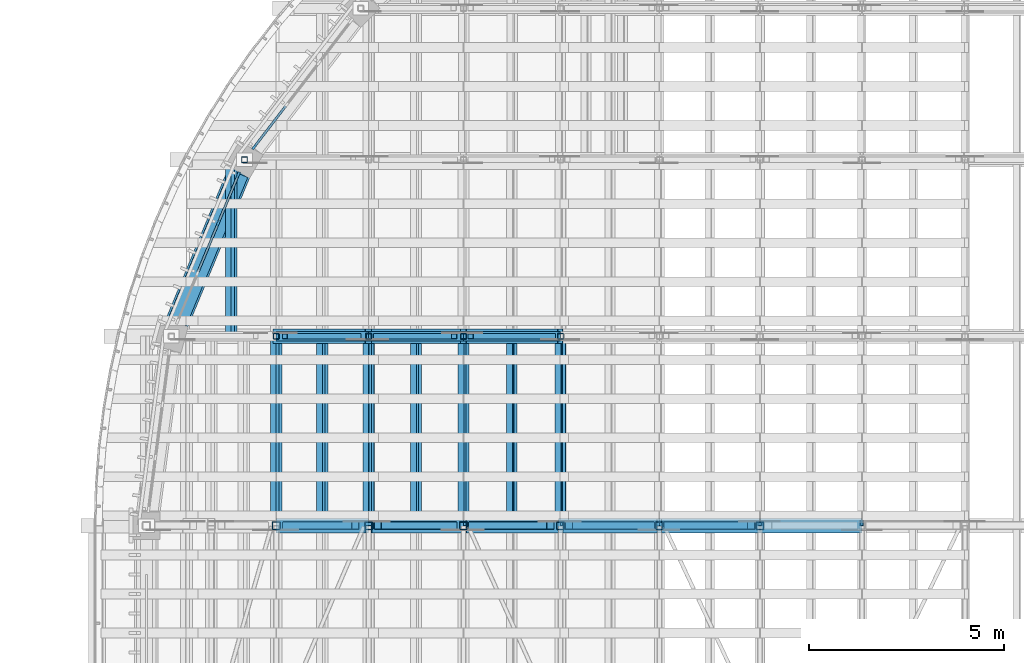
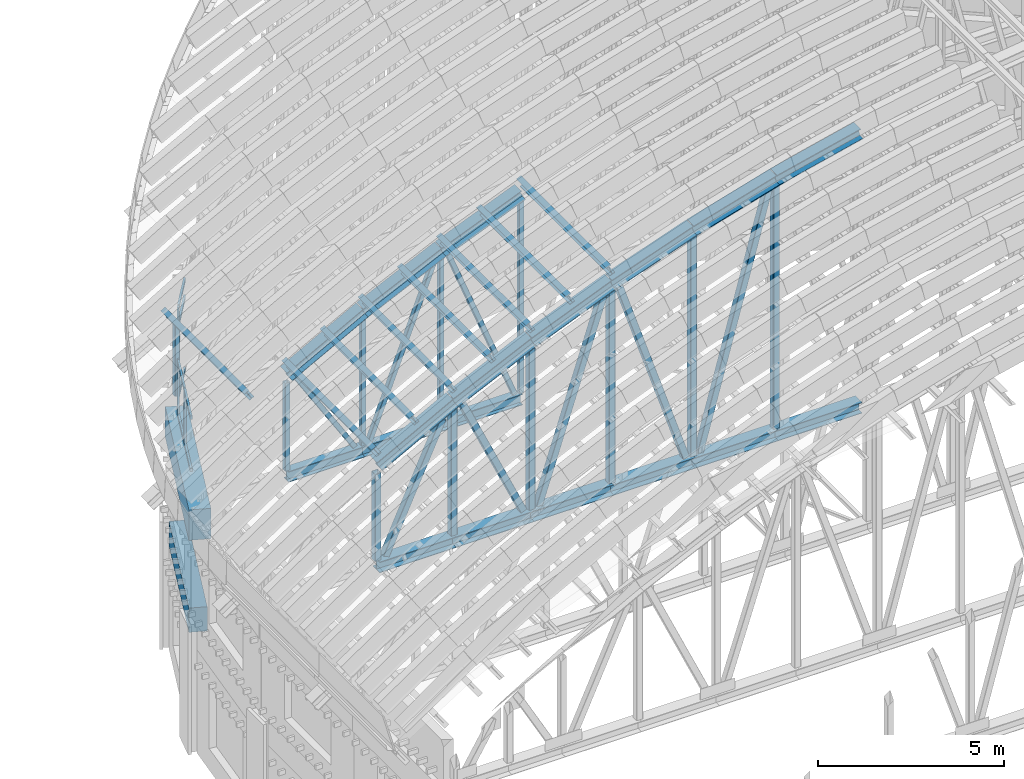
# One storey, part 20 of 105: 55 members, 2 beams, 2 elements without a shape of their own.
"""IFC4 building model written with IfcOpenShell, lengths in metres."""

from ifc_helpers import new_model, si_unit, direction, frame, origin, origin_2d, place, context, subcontext, project, spatial, rectangle, hollow_rectangle, i_section, extrude, material, layer, layer_set, material_profile, profile_set, type_object, element, aggregate, save


model = new_model("IFC4")

# Units and contexts
model_context = context("Model", 3, precision=1e-05, world=origin(), true_north=direction((0.0, 1.0)))
body_context = subcontext(model_context, "Body", "Model", "MODEL_VIEW")
ifc_project = project(units=[si_unit("LENGTHUNIT", "METRE"), si_unit("AREAUNIT", "SQUARE_METRE"), si_unit("VOLUMEUNIT", "CUBIC_METRE"), si_unit("PLANEANGLEUNIT", "RADIAN"), si_unit("MASSUNIT", "GRAM", prefix="KILO")], contexts=[model_context])

# Site, building, storey
site_placement = place(None, origin())
site = spatial("IfcSite", under=ifc_project, at=site_placement, CompositionType="ELEMENT")
building_placement = place(site_placement, origin())
building = spatial("IfcBuilding", under=site, at=building_placement, Name="Wasatch Bagh Community Centre", CompositionType="ELEMENT")
storey_placement = place(building_placement, frame((0.0, 0.0, 16.800048828125)))
storey = spatial("IfcBuildingStorey", under=building, at=storey_placement, Name="L04", CompositionType="ELEMENT", Elevation=16.800048828125)

# Members
ifc_material_1 = material(Name="ASTM A500 Grade C steel", Category="steel")
ifc_material_profile_1 = material_profile(ifc_material_1, hollow_rectangle(XDim=0.15234375, YDim=0.15234375, WallThickness=0.0087890625, InnerFilletRadius=0.0087890625, OuterFilletRadius=0.017822265625, at=origin_2d()), Name="HSS6x6x3/8")
ifc_profile_set_1 = profile_set([ifc_material_profile_1], Name="ASTM A500 Grade C steel")
member_type_1 = type_object("IfcMemberType", Name="HSS6x6x3/8 brace", PredefinedType="BRACE", material=ifc_profile_set_1)
member_1_placement = place(storey_placement, frame((22.68310546875, 69.852783203125, 8.111572265625), z_axis=(-0.530690014661, 0.0, 0.847565990551), x_axis=(0.0, -1.0, 0.0)))
element("IfcMember", 1, at=member_1_placement, inside=storey, type_object=member_type_1, Name="MH.TN1.WB02", PredefinedType="BRACE", context=body_context, shape_type="SweptSolid", body=[
    extrude(hollow_rectangle(XDim=0.15234375, YDim=0.15234375, WallThickness=0.0087890625, InnerFilletRadius=0.0087890625, OuterFilletRadius=0.017822265625, at=origin_2d()), origin(), (0.0, 0.0, 1.0), 3.5556640625),
])
member_2_placement = place(storey_placement, frame((23.140869140625, 69.852783203125, 8.098388671875), z_axis=(0.360226506128, 0.0, 0.932864869251), x_axis=(0.0, 1.0, 0.0)))
element("IfcMember", 2, at=member_2_placement, inside=storey, type_object=member_type_1, Name="MH.TN1.WB03", PredefinedType="BRACE", context=body_context, shape_type="SweptSolid", body=[
    extrude(hollow_rectangle(XDim=0.15234375, YDim=0.15234375, WallThickness=0.0087890625, InnerFilletRadius=0.0087890625, OuterFilletRadius=0.017822265625, at=origin_2d()), origin(), (0.0, 0.0, 1.0), 5.533203125),
])
member_3_placement = place(storey_placement, frame((27.66162109375, 69.852783203125, 8.0986328125), z_axis=(-0.362328609595, 0.0, 0.932050416377), x_axis=(0.0, -1.0, 0.0)))
element("IfcMember", 3, at=member_3_placement, inside=storey, type_object=member_type_1, Name="MH.TN1.WB04", PredefinedType="BRACE", context=body_context, shape_type="SweptSolid", body=[
    extrude(hollow_rectangle(XDim=0.15234375, YDim=0.15234375, WallThickness=0.0087890625, InnerFilletRadius=0.0087890625, OuterFilletRadius=0.017822265625, at=origin_2d()), origin(), (0.0, 0.0, 1.0), 5.808349609375),
])
ifc_material_profile_2 = material_profile(ifc_material_1, hollow_rectangle(XDim=0.15234375, YDim=0.15234375, WallThickness=0.0087890625, InnerFilletRadius=0.0087890625, OuterFilletRadius=0.017822265625, at=origin_2d()), Name="HSS6x6x3/8")
ifc_profile_set_2 = profile_set([ifc_material_profile_2], Name="ASTM A500 Grade C steel")
member_type_2 = type_object("IfcMemberType", Name="HSS6x6x3/8 post", PredefinedType="POST", material=ifc_profile_set_2)
member_4_placement = place(storey_placement, frame((20.5751953125, 69.852783203125, 8.070556640625), z_axis=(0.0, 0.0, 1.0), x_axis=(1.0, 0.0, 0.0)))
element("IfcMember", 4, at=member_4_placement, inside=storey, type_object=member_type_2, Name="MH.TN1.PS02", PredefinedType="POST", context=body_context, shape_type="SweptSolid", body=[
    extrude(hollow_rectangle(XDim=0.15234375, YDim=0.15234375, WallThickness=0.0087890625, InnerFilletRadius=0.0087890625, OuterFilletRadius=0.017822265625, at=origin_2d()), origin(), (0.0, 0.0, 1.0), 2.889892578125),
])
member_5_placement = place(storey_placement, frame((22.943359375, 69.852783203125, 8.070556640625), z_axis=(0.0, 0.0, 1.0), x_axis=(1.0, 0.0, 0.0)))
element("IfcMember", 5, at=member_5_placement, inside=storey, type_object=member_type_2, Name="MH.TN1.PS03", PredefinedType="POST", context=body_context, shape_type="SweptSolid", body=[
    extrude(hollow_rectangle(XDim=0.15234375, YDim=0.15234375, WallThickness=0.0087890625, InnerFilletRadius=0.0087890625, OuterFilletRadius=0.017822265625, at=origin_2d()), origin(), (0.0, 0.0, 1.0), 4.171875),
])
member_6_placement = place(storey_placement, frame((25.373779296875, 69.852783203125, 8.070556640625), z_axis=(0.0, 0.0, 1.0), x_axis=(1.0, 0.0, 0.0)))
element("IfcMember", 6, at=member_6_placement, inside=storey, type_object=member_type_2, Name="MH.TN1.PS04", PredefinedType="POST", context=body_context, shape_type="SweptSolid", body=[
    extrude(hollow_rectangle(XDim=0.15234375, YDim=0.15234375, WallThickness=0.0087890625, InnerFilletRadius=0.0087890625, OuterFilletRadius=0.017822265625, at=origin_2d()), origin(), (0.0, 0.0, 1.0), 5.32763671875),
])
member_7_placement = place(storey_placement, frame((27.85986328125, 69.852783203125, 8.070556640625), z_axis=(0.0, 0.0, 1.0), x_axis=(1.0, 0.0, 0.0)))
element("IfcMember", 7, at=member_7_placement, inside=storey, type_object=member_type_2, Name="MH.TN1.PS05", PredefinedType="POST", context=body_context, shape_type="SweptSolid", body=[
    extrude(hollow_rectangle(XDim=0.15234375, YDim=0.15234375, WallThickness=0.0087890625, InnerFilletRadius=0.0087890625, OuterFilletRadius=0.017822265625, at=origin_2d()), origin(), (0.0, 0.0, 1.0), 6.35498046875),
])
member_8_placement = place(storey_placement, frame((19.761962890625, 74.375, 8.070556640625), z_axis=(0.0, 0.0, 1.0), x_axis=(1.0, 0.0, 0.0)))
element("IfcMember", 8, at=member_8_placement, inside=storey, type_object=member_type_2, Name="MH.TN2.PS01", PredefinedType="POST", context=body_context, shape_type="SweptSolid", body=[
    extrude(hollow_rectangle(XDim=0.15234375, YDim=0.15234375, WallThickness=0.0087890625, InnerFilletRadius=0.0087890625, OuterFilletRadius=0.017822265625, at=origin_2d()), origin(), (0.0, 0.0, 1.0), 2.396728515625),
])
ifc_material_profile_3 = material_profile(ifc_material_1, hollow_rectangle(XDim=0.203125, YDim=0.203125, WallThickness=0.01171875, InnerFilletRadius=0.01171875, OuterFilletRadius=0.023681640625, at=origin_2d()), Name="HSS8x8x1/2")
ifc_profile_set_3 = profile_set([ifc_material_profile_3], Name="ASTM A500 Grade C steel")
member_type_3 = type_object("IfcMemberType", Name="HSS8x8x1/2 post", PredefinedType="POST", material=ifc_profile_set_3)
member_9_placement = place(storey_placement, frame((20.5751953125, 65.0, 8.070556640625), z_axis=(0.0, 0.0, 1.0), x_axis=(1.0, 0.0, 0.0)))
element("IfcMember", 9, at=member_9_placement, inside=storey, type_object=member_type_3, Name="MH.TA7.PS03", PredefinedType="POST", context=body_context, shape_type="SweptSolid", body=[
    extrude(hollow_rectangle(XDim=0.203125, YDim=0.203125, WallThickness=0.01171875, InnerFilletRadius=0.01171875, OuterFilletRadius=0.023681640625, at=origin_2d()), origin(), (0.0, 0.0, 1.0), 2.860107421875),
])
member_10_placement = place(storey_placement, frame((22.943359375, 65.0, 8.070556640625), z_axis=(0.0, 0.0, 1.0), x_axis=(1.0, 0.0, 0.0)))
element("IfcMember", 10, at=member_10_placement, inside=storey, type_object=member_type_3, Name="MH.TA7.PS04", PredefinedType="POST", context=body_context, shape_type="SweptSolid", body=[
    extrude(hollow_rectangle(XDim=0.203125, YDim=0.203125, WallThickness=0.01171875, InnerFilletRadius=0.01171875, OuterFilletRadius=0.023681640625, at=origin_2d()), origin(), (0.0, 0.0, 1.0), 4.143798828125),
])
member_11_placement = place(storey_placement, frame((25.373779296875, 65.0, 8.070556640625), z_axis=(0.0, 0.0, 1.0), x_axis=(1.0, 0.0, 0.0)))
element("IfcMember", 11, at=member_11_placement, inside=storey, type_object=member_type_3, Name="MH.TA7.PS05", PredefinedType="POST", context=body_context, shape_type="SweptSolid", body=[
    extrude(hollow_rectangle(XDim=0.203125, YDim=0.203125, WallThickness=0.01171875, InnerFilletRadius=0.01171875, OuterFilletRadius=0.023681640625, at=origin_2d()), origin(), (0.0, 0.0, 1.0), 5.3017578125),
])
member_12_placement = place(storey_placement, frame((27.85986328125, 65.0, 8.070556640625), z_axis=(0.0, 0.0, 1.0), x_axis=(1.0, 0.0, 0.0)))
element("IfcMember", 12, at=member_12_placement, inside=storey, type_object=member_type_3, Name="MH.TA7.PS06", PredefinedType="POST", context=body_context, shape_type="SweptSolid", body=[
    extrude(hollow_rectangle(XDim=0.203125, YDim=0.203125, WallThickness=0.01171875, InnerFilletRadius=0.01171875, OuterFilletRadius=0.023681640625, at=origin_2d()), origin(), (0.0, 0.0, 1.0), 6.3310546875),
])
member_13_placement = place(storey_placement, frame((30.39501953125, 65.0, 8.070556640625), z_axis=(0.0, 0.0, 1.0), x_axis=(1.0, 0.0, 0.0)))
element("IfcMember", 13, at=member_13_placement, inside=storey, type_object=member_type_3, Name="MH.TA7.PS07", PredefinedType="POST", context=body_context, shape_type="SweptSolid", body=[
    extrude(hollow_rectangle(XDim=0.203125, YDim=0.203125, WallThickness=0.01171875, InnerFilletRadius=0.01171875, OuterFilletRadius=0.023681640625, at=origin_2d()), origin(), (0.0, 0.0, 1.0), 7.228759765625),
])
member_14_placement = place(storey_placement, frame((32.972412109375, 65.0, 8.070556640625), z_axis=(0.0, 0.0, 1.0), x_axis=(1.0, 0.0, 0.0)))
element("IfcMember", 14, at=member_14_placement, inside=storey, type_object=member_type_3, Name="MH.TA7.PS08", PredefinedType="POST", context=body_context, shape_type="SweptSolid", body=[
    extrude(hollow_rectangle(XDim=0.203125, YDim=0.203125, WallThickness=0.01171875, InnerFilletRadius=0.01171875, OuterFilletRadius=0.023681640625, at=origin_2d()), origin(), (0.0, 0.0, 1.0), 7.9931640625),
])
ifc_material_profile_4 = material_profile(ifc_material_1, hollow_rectangle(XDim=0.203125, YDim=0.203125, WallThickness=0.0087890625, InnerFilletRadius=0.0087890625, OuterFilletRadius=0.017822265625, at=origin_2d()), Name="HSS8x8x3/8")
ifc_profile_set_4 = profile_set([ifc_material_profile_4], Name="ASTM A500 Grade C steel")
member_type_4 = type_object("IfcMemberType", Name="HSS8x8x3/8 brace", PredefinedType="BRACE", material=ifc_profile_set_4)
member_15_placement = place(storey_placement, frame((20.834716796875, 65.0, 8.11328125), z_axis=(0.41454038017, 0.0, 0.91003091882), x_axis=(0.0, 1.0, 0.0)))
element("IfcMember", 15, at=member_15_placement, inside=storey, type_object=member_type_4, Name="MH.TA7.WB03", PredefinedType="BRACE", context=body_context, shape_type="SweptSolid", body=[
    extrude(hollow_rectangle(XDim=0.203125, YDim=0.203125, WallThickness=0.0087890625, InnerFilletRadius=0.0087890625, OuterFilletRadius=0.017822265625, at=origin_2d()), origin(), (0.0, 0.0, 1.0), 4.2646484375),
])
member_16_placement = place(storey_placement, frame((25.114501953125, 65.0, 8.113037109375), z_axis=(-0.412645327125, 0.0, 0.910891779523), x_axis=(0.0, -1.0, 0.0)))
element("IfcMember", 16, at=member_16_placement, inside=storey, type_object=member_type_4, Name="MH.TA7.WB04", PredefinedType="BRACE", context=body_context, shape_type="SweptSolid", body=[
    extrude(hollow_rectangle(XDim=0.203125, YDim=0.203125, WallThickness=0.0087890625, InnerFilletRadius=0.0087890625, OuterFilletRadius=0.017822265625, at=origin_2d()), origin(), (0.0, 0.0, 1.0), 4.688720703125),
])
member_17_placement = place(storey_placement, frame((25.59814453125, 65.0, 8.1025390625), z_axis=(0.309201900554, 0.0, 0.950996416762), x_axis=(0.0, 1.0, 0.0)))
element("IfcMember", 17, at=member_17_placement, inside=storey, type_object=member_type_4, Name="MH.TA7.WB05", PredefinedType="BRACE", context=body_context, shape_type="SweptSolid", body=[
    extrude(hollow_rectangle(XDim=0.203125, YDim=0.203125, WallThickness=0.0087890625, InnerFilletRadius=0.0087890625, OuterFilletRadius=0.017822265625, at=origin_2d()), origin(), (0.0, 0.0, 1.0), 6.481689453125),
])
member_18_placement = place(storey_placement, frame((30.170166015625, 65.0, 8.1025390625), z_axis=(-0.31047180951, 0.0, 0.950582587417), x_axis=(0.0, -1.0, 0.0)))
element("IfcMember", 18, at=member_18_placement, inside=storey, type_object=member_type_4, Name="MH.TA7.WB06", PredefinedType="BRACE", context=body_context, shape_type="SweptSolid", body=[
    extrude(hollow_rectangle(XDim=0.203125, YDim=0.203125, WallThickness=0.0087890625, InnerFilletRadius=0.0087890625, OuterFilletRadius=0.017822265625, at=origin_2d()), origin(), (0.0, 0.0, 1.0), 6.750732421875),
])
member_19_placement = place(storey_placement, frame((30.60595703125, 65.0, 8.09765625), z_axis=(0.262074056631, 0.0, 0.965047765057), x_axis=(0.0, 1.0, 0.0)))
element("IfcMember", 19, at=member_19_placement, inside=storey, type_object=member_type_4, Name="MH.TA7.WB07", PredefinedType="BRACE", context=body_context, shape_type="SweptSolid", body=[
    extrude(hollow_rectangle(XDim=0.203125, YDim=0.203125, WallThickness=0.0087890625, InnerFilletRadius=0.0087890625, OuterFilletRadius=0.017822265625, at=origin_2d()), origin(), (0.0, 0.0, 1.0), 8.15869140625),
])

# Curtain wall, member
ifc_material_2 = material(Name="Aluminium curtain wall frame with low-iron glass", Category="aluminium")
ifc_layer_1 = layer(ifc_material_2, 0.10009765625)
ifc_layer_set_1 = layer_set([ifc_layer_1], Name="Aluminium curtain wall frame with low-iron glass")
curtain_wall_type_1 = type_object("IfcCurtainWallType", Name="MH end screen curtain wall 3", PredefinedType="NOTDEFINED", material=ifc_layer_set_1)
curtain_wall_1_placement = place(storey_placement, origin())
curtain_wall_1 = element("IfcCurtainWall", 20, at=curtain_wall_1_placement, inside=storey, type_object=curtain_wall_type_1, Name="End screen 28", PredefinedType="NOTDEFINED")
ifc_material_3 = material(Name="Aluminium extrusion", Category="aluminium")
ifc_material_profile_5 = material_profile(ifc_material_3, rectangle(XDim=0.06005859375, YDim=0.159912109375, at=origin_2d()), Name="AL 60x160")
ifc_profile_set_5 = profile_set([ifc_material_profile_5], Name="Aluminium extrusion")
member_type_5 = type_object("IfcMemberType", Name="MH end screen mullion 60x160", PredefinedType="MULLION", material=ifc_profile_set_5)
member_20_placement = place(storey_placement, frame((20.015625, 74.705322265625, 7.699951171875), z_axis=(0.0, 0.0, 1.0), x_axis=(0.79335334027, -0.608761429036, 0.0)))
member_20 = element("IfcMember", 21, at=member_20_placement, type_object=member_type_5, Name="MH-CW3 mullion 4", PredefinedType="MULLION", context=body_context, shape_type="SweptSolid", body=[
    extrude(rectangle(XDim=0.06005859375, YDim=0.159912109375, at=origin_2d()), origin(), (0.0, 0.0, 1.0), 3.0),
])

# Curtain wall, members
ifc_layer_2 = layer(ifc_material_2, 0.10009765625)
ifc_layer_set_2 = layer_set([ifc_layer_2], Name="Aluminium curtain wall frame with low-iron glass")
curtain_wall_type_2 = type_object("IfcCurtainWallType", Name="MH end screen curtain wall 2", PredefinedType="NOTDEFINED", material=ifc_layer_set_2)
curtain_wall_2_placement = place(storey_placement, origin())
curtain_wall_2 = element("IfcCurtainWall", 22, at=curtain_wall_2_placement, inside=storey, type_object=curtain_wall_type_2, Name="End screen 29", PredefinedType="NOTDEFINED")
member_21_placement = place(storey_placement, frame((19.602783203125, 73.990234375, 7.699951171875), z_axis=(0.0, 0.0, 1.0), x_axis=(0.923879532585, -0.382683432188, 0.0)))
member_21 = element("IfcMember", 23, at=member_21_placement, type_object=member_type_5, Name="MH-CW2 mullion 1", PredefinedType="MULLION", context=body_context, shape_type="SweptSolid", body=[
    extrude(rectangle(XDim=0.06005859375, YDim=0.159912109375, at=origin_2d()), origin(), (0.0, 0.0, 1.0), 1.800048828125),
])
member_22_placement = place(storey_placement, frame((19.08837890625, 72.74853515625, 7.699951171875), z_axis=(0.0, 0.0, 1.0), x_axis=(0.923879532585, -0.382683432188, 0.0)))
member_22 = element("IfcMember", 24, at=member_22_placement, type_object=member_type_5, Name="MH-CW2 mullion 2", PredefinedType="MULLION", context=body_context, shape_type="SweptSolid", body=[
    extrude(rectangle(XDim=0.06005859375, YDim=0.159912109375, at=origin_2d()), origin(), (0.0, 0.0, 1.0), 1.800048828125),
])

# Member
ifc_material_profile_6 = material_profile(ifc_material_3, rectangle(XDim=0.06005859375, YDim=0.1201171875, at=origin_2d()), Name="AL 60x120")
ifc_profile_set_6 = profile_set([ifc_material_profile_6], Name="Aluminium extrusion")
member_type_6 = type_object("IfcMemberType", Name="MH end screen transom 60x120", PredefinedType="USERDEFINED", material=ifc_profile_set_6)
member_23_placement = place(storey_placement, frame((20.8154296875, 75.747802734375, 7.72998046875), z_axis=(-0.608846614125, -0.793287968186, 0.0), x_axis=(0.793287968186, -0.608846614125, 0.0)))
member_23 = element("IfcMember", 25, at=member_23_placement, type_object=member_type_6, Name="MH-CW3 transom 3.1", ObjectType="TRANSOM", PredefinedType="USERDEFINED", context=body_context, shape_type="SweptSolid", body=[
    extrude(rectangle(XDim=0.06005859375, YDim=0.1201171875, at=origin_2d()), origin(), (0.0, 0.0, 1.0), 1.283935546875),
])

member_24_placement = place(storey_placement, frame((20.8154296875, 75.747802734375, 10.099853515625), z_axis=(-0.608846614125, -0.793287968186, 0.0), x_axis=(0.793287968186, -0.608846614125, 0.0)))
member_24 = element("IfcMember", 26, at=member_24_placement, type_object=member_type_6, Name="MH-CW3 transom 3.2", ObjectType="TRANSOM", PredefinedType="USERDEFINED", context=body_context, shape_type="SweptSolid", body=[
    extrude(rectangle(XDim=0.06005859375, YDim=0.1201171875, at=origin_2d()), origin(), (0.0, 0.0, 1.0), 1.283935546875),
])

member_25_placement = place(storey_placement, frame((20.8154296875, 75.747802734375, 10.669921875), z_axis=(-0.608846614125, -0.793287968186, 0.0), x_axis=(0.793287968186, -0.608846614125, 0.0)))
member_25 = element("IfcMember", 27, at=member_25_placement, type_object=member_type_6, Name="MH-CW3 transom 3.3", ObjectType="TRANSOM", PredefinedType="USERDEFINED", context=body_context, shape_type="SweptSolid", body=[
    extrude(rectangle(XDim=0.06005859375, YDim=0.1201171875, at=origin_2d()), origin(), (0.0, 0.0, 1.0), 1.283935546875),
])

aggregate(curtain_wall_1, [member_20, member_23, member_24, member_25])

member_26_placement = place(storey_placement, frame((19.591064453125, 73.962646484375, 7.72998046875), z_axis=(-0.382575710929, -0.923924144834, 0.0), x_axis=(0.923924144834, -0.382575710929, 0.0)))
member_26 = element("IfcMember", 28, at=member_26_placement, type_object=member_type_6, Name="MH-CW2 transom 1.1", ObjectType="TRANSOM", PredefinedType="USERDEFINED", context=body_context, shape_type="SweptSolid", body=[
    extrude(rectangle(XDim=0.06005859375, YDim=0.1201171875, at=origin_2d()), origin(), (0.0, 0.0, 1.0), 1.283935546875),
])

member_27_placement = place(storey_placement, frame((19.591064453125, 73.962646484375, 9.469970703125), z_axis=(-0.382575710929, -0.923924144834, 0.0), x_axis=(0.923924144834, -0.382575710929, 0.0)))
member_27 = element("IfcMember", 29, at=member_27_placement, type_object=member_type_6, Name="MH-CW2 transom 1.2", ObjectType="TRANSOM", PredefinedType="USERDEFINED", context=body_context, shape_type="SweptSolid", body=[
    extrude(rectangle(XDim=0.06005859375, YDim=0.1201171875, at=origin_2d()), origin(), (0.0, 0.0, 1.0), 1.283935546875),
])

member_28_placement = place(storey_placement, frame((19.076904296875, 72.720947265625, 7.72998046875), z_axis=(-0.382767514508, -0.923844700065, 0.0), x_axis=(0.923844700065, -0.382767514508, 0.0)))
member_28 = element("IfcMember", 30, at=member_28_placement, type_object=member_type_6, Name="MH-CW2 transom 2.1", ObjectType="TRANSOM", PredefinedType="USERDEFINED", context=body_context, shape_type="SweptSolid", body=[
    extrude(rectangle(XDim=0.06005859375, YDim=0.1201171875, at=origin_2d()), origin(), (0.0, 0.0, 1.0), 1.31396484375),
])

member_29_placement = place(storey_placement, frame((19.076904296875, 72.720947265625, 9.469970703125), z_axis=(-0.382767514508, -0.923844700065, 0.0), x_axis=(0.923844700065, -0.382767514508, 0.0)))
member_29 = element("IfcMember", 31, at=member_29_placement, type_object=member_type_6, Name="MH-CW2 transom 2.2", ObjectType="TRANSOM", PredefinedType="USERDEFINED", context=body_context, shape_type="SweptSolid", body=[
    extrude(rectangle(XDim=0.06005859375, YDim=0.1201171875, at=origin_2d()), origin(), (0.0, 0.0, 1.0), 1.31396484375),
])

aggregate(curtain_wall_2, [member_21, member_22, member_26, member_27, member_28, member_29])

# Beams
ifc_material_4 = material(Name="Concrete C35", Category="concrete")
ifc_material_profile_7 = material_profile(ifc_material_4, rectangle(XDim=0.5, YDim=0.800048828125, at=origin_2d()), Name="RC 500x800")
ifc_profile_set_7 = profile_set([ifc_material_profile_7], Name="Concrete C35")
beam_type_1 = type_object("IfcBeamType", Name="MH ring beam RC 500x800", PredefinedType="BEAM", material=ifc_profile_set_7)
beam_1_placement = place(storey_placement, frame((19.6142578125, 74.01806640625, 3.800048828125), z_axis=(-0.382688328955, -0.923877504262, 0.0), x_axis=(0.923877504262, -0.382688328955, 0.0)))
element("IfcBeam", 32, at=beam_1_placement, inside=storey, type_object=beam_type_1, Name="Ring beam 21.0 N10-N11", PredefinedType="BEAM", context=body_context, shape_type="SweptSolid", body=[
    extrude(rectangle(XDim=0.5, YDim=0.800048828125, at=origin_2d()), origin(), (0.0, 0.0, 1.0), 4.121826171875),
])
ifc_material_profile_8 = material_profile(ifc_material_4, rectangle(XDim=0.60009765625, YDim=1.0, at=origin_2d()), Name="RC 600x1000")
ifc_profile_set_8 = profile_set([ifc_material_profile_8], Name="Concrete C35")
beam_type_2 = type_object("IfcBeamType", Name="MH ring beam RC 600x1000", PredefinedType="BEAM", material=ifc_profile_set_8)
beam_2_placement = place(storey_placement, frame((19.761962890625, 74.375, 7.199951171875), z_axis=(-0.382663090012, -0.923887958328, 0.0), x_axis=(0.923887958328, -0.382663090012, 0.0)))
element("IfcBeam", 33, at=beam_2_placement, inside=storey, type_object=beam_type_2, Name="Ring beam 24.5 N10-N11", PredefinedType="BEAM", context=body_context, shape_type="SweptSolid", body=[
    extrude(rectangle(XDim=0.60009765625, YDim=1.0, at=origin_2d()), origin(), (0.0, 0.0, 1.0), 4.894775390625),
])

# Members
ifc_material_5 = material(Name="ASTM A992 Grade 50 steel", Category="steel")
ifc_material_profile_9 = material_profile(ifc_material_5, i_section(OverallWidth=0.164794921875, OverallDepth=0.309814453125, WebThickness=0.005859375, FlangeThickness=0.009765625, at=origin_2d()), Name="W12x26")
ifc_profile_set_9 = profile_set([ifc_material_profile_9], Name="ASTM A992 Grade 50 steel")
member_type_7 = type_object("IfcMemberType", Name="W12x26 purlin", PredefinedType="PURLIN", material=ifc_profile_set_9)
for number, where, z_axis, x_axis, name in (
    (34, (20.5751953125, 65.0, 11.600341796875), (0.0, 1.0, 0.0), (-0.856568214693, 0.0, -0.516033810499), "MH.TA7-TN1.PU05"),
    (35, (21.75927734375, 65.0, 12.2275390625), (0.0, 1.0, 0.0), (-0.882062247877, 0.0, -0.471132880269), "MH.TA7-TN1.PU06"),
    (36, (22.943359375, 65.0, 12.860107421875), (0.0, 1.0, 0.0), (-0.882062247877, 0.0, -0.471132880269), "MH.TA7-TN1.PU07"),
    (37, (24.15869140625, 65.0, 13.426025390625), (0.0, 1.0, 0.0), (-0.905204669284, 0.0, -0.424975889559), "MH.TA7-TN1.PU08"),
    (38, (25.373779296875, 65.0, 13.99658203125), (0.0, 1.0, 0.0), (-0.905204669284, 0.0, -0.424975889559), "MH.TA7-TN1.PU09"),
    (39, (26.616943359375, 65.0, 14.499755859375), (0.0, 1.0, 0.0), (-0.925933779633, 0.0, -0.377685895599), "MH.TA7-TN1.PU10"),
    (40, (27.85986328125, 65.0, 15.0068359375), (0.0, 1.0, 0.0), (-0.925933779633, 0.0, -0.377685895599), "MH.TA7-TN1.PU11"),
):
    element("IfcMember", number, at=place(storey_placement, frame(where, z_axis=z_axis, x_axis=x_axis)), inside=storey, type_object=member_type_7, Name=name, PredefinedType="PURLIN", context=body_context, shape_type="SweptSolid", body=[
        extrude(i_section(OverallWidth=0.164794921875, OverallDepth=0.309814453125, WebThickness=0.005859375, FlangeThickness=0.009765625, at=origin_2d()), origin(), (0.0, 0.0, 1.0), 4.852783203125),
    ])
member_30_placement = place(storey_placement, frame((19.42529296875, 69.852783203125, 10.907470703125), z_axis=(0.0, 1.0, 0.0), x_axis=(-0.856568211081, 0.0, -0.516033816494)))
element("IfcMember", 41, at=member_30_placement, inside=storey, type_object=member_type_7, Name="MH.TN1-TN2.PU01", PredefinedType="PURLIN", context=body_context, shape_type="SweptSolid", body=[
    extrude(i_section(OverallWidth=0.164794921875, OverallDepth=0.309814453125, WebThickness=0.005859375, FlangeThickness=0.009765625, at=origin_2d()), origin(), (0.0, 0.0, 1.0), 4.522216796875),
])
ifc_material_profile_10 = material_profile(ifc_material_5, i_section(OverallWidth=0.373291015625, OverallDepth=0.368408203125, WebThickness=0.014892578125, FlangeThickness=0.02392578125, at=origin_2d()), Name="W14x120")
ifc_profile_set_10 = profile_set([ifc_material_profile_10], Name="ASTM A992 Grade 50 steel")
member_type_8 = type_object("IfcMemberType", Name="W14x120 chord", PredefinedType="CHORD", material=ifc_profile_set_10)
member_31_placement = place(storey_placement, frame((20.57958984375, 65.0, 11.210205078125), z_axis=(0.881199185378, 0.0, 0.472745169927), x_axis=(0.0, 1.0, 0.0)))
element("IfcMember", 42, at=member_31_placement, inside=storey, type_object=member_type_8, Name="MH.TA7.TC05", PredefinedType="CHORD", context=body_context, shape_type="SweptSolid", body=[
    extrude(i_section(OverallWidth=0.373291015625, OverallDepth=0.368408203125, WebThickness=0.014892578125, FlangeThickness=0.02392578125, at=origin_2d()), origin(), (0.0, 0.0, 1.0), 2.67724609375),
])
member_32_placement = place(storey_placement, frame((22.9482421875, 65.0, 12.480712890625), z_axis=(0.90451458508, 0.0, 0.426442687096), x_axis=(0.0, 1.0, 0.0)))
element("IfcMember", 43, at=member_32_placement, inside=storey, type_object=member_type_8, Name="MH.TA7.TC06", PredefinedType="CHORD", context=body_context, shape_type="SweptSolid", body=[
    extrude(i_section(OverallWidth=0.373291015625, OverallDepth=0.368408203125, WebThickness=0.014892578125, FlangeThickness=0.02392578125, at=origin_2d()), origin(), (0.0, 0.0, 1.0), 2.676513671875),
])
member_33_placement = place(storey_placement, frame((25.378662109375, 65.0, 13.62646484375), z_axis=(0.925400102713, 0.0, 0.378991622466), x_axis=(0.0, 1.0, 0.0)))
element("IfcMember", 44, at=member_33_placement, inside=storey, type_object=member_type_8, Name="MH.TA7.TC07", PredefinedType="CHORD", context=body_context, shape_type="SweptSolid", body=[
    extrude(i_section(OverallWidth=0.373291015625, OverallDepth=0.368408203125, WebThickness=0.014892578125, FlangeThickness=0.02392578125, at=origin_2d()), origin(), (0.0, 0.0, 1.0), 2.676025390625),
])
member_34_placement = place(storey_placement, frame((27.864990234375, 65.0, 14.644287109375), z_axis=(0.943774394327, 0.0, 0.330590218568), x_axis=(0.0, 1.0, 0.0)))
element("IfcMember", 45, at=member_34_placement, inside=storey, type_object=member_type_8, Name="MH.TA7.TC08", PredefinedType="CHORD", context=body_context, shape_type="SweptSolid", body=[
    extrude(i_section(OverallWidth=0.373291015625, OverallDepth=0.368408203125, WebThickness=0.014892578125, FlangeThickness=0.02392578125, at=origin_2d()), origin(), (0.0, 0.0, 1.0), 2.675537109375),
])
for number, where, z_axis, x_axis, name in (
    (46, (30.400146484375, 65.0, 15.531982421875), (0.959628119174, 0.0, 0.281271884288), (0.0, 1.0, 0.0), "MH.TA7.TC09"),
    (47, (32.9775390625, 65.0, 16.287109375), (0.972931420712, 0.0, 0.23109402976), (0.0, 1.0, 0.0), "MH.TA7.TC10"),
):
    element("IfcMember", number, at=place(storey_placement, frame(where, z_axis=z_axis, x_axis=x_axis)), inside=storey, type_object=member_type_8, Name=name, PredefinedType="CHORD", context=body_context, shape_type="SweptSolid", body=[
        extrude(i_section(OverallWidth=0.373291015625, OverallDepth=0.368408203125, WebThickness=0.014892578125, FlangeThickness=0.02392578125, at=origin_2d()), origin(), (0.0, 0.0, 1.0), 2.675048828125),
    ])
ifc_material_profile_11 = material_profile(ifc_material_5, i_section(OverallWidth=0.25390625, OverallDepth=0.355712890625, WebThickness=0.010498046875, FlangeThickness=0.018310546875, at=origin_2d()), Name="W14x68")
ifc_profile_set_11 = profile_set([ifc_material_profile_11], Name="ASTM A992 Grade 50 steel")
member_type_9 = type_object("IfcMemberType", Name="W14x68 chord", PredefinedType="CHORD", material=ifc_profile_set_11)
member_35_placement = place(storey_placement, frame((20.5751953125, 69.852783203125, 7.892822265625), z_axis=(1.0, 0.0, 0.0), x_axis=(0.0, 1.0, 0.0)))
element("IfcMember", 48, at=member_35_placement, inside=storey, type_object=member_type_9, Name="MH.TN1.BC02", PredefinedType="CHORD", context=body_context, shape_type="SweptSolid", body=[
    extrude(i_section(OverallWidth=0.25390625, OverallDepth=0.355712890625, WebThickness=0.010498046875, FlangeThickness=0.018310546875, at=origin_2d()), origin(), (0.0, 0.0, 1.0), 2.3681640625),
])
member_36_placement = place(storey_placement, frame((22.943359375, 69.852783203125, 7.892822265625), z_axis=(1.0, 0.0, 0.0), x_axis=(0.0, 1.0, 0.0)))
element("IfcMember", 49, at=member_36_placement, inside=storey, type_object=member_type_9, Name="MH.TN1.BC03", PredefinedType="CHORD", context=body_context, shape_type="SweptSolid", body=[
    extrude(i_section(OverallWidth=0.25390625, OverallDepth=0.355712890625, WebThickness=0.010498046875, FlangeThickness=0.018310546875, at=origin_2d()), origin(), (0.0, 0.0, 1.0), 2.430419921875),
])
member_37_placement = place(storey_placement, frame((25.373779296875, 69.852783203125, 7.892822265625), z_axis=(1.0, 0.0, 0.0), x_axis=(0.0, 1.0, 0.0)))
element("IfcMember", 50, at=member_37_placement, inside=storey, type_object=member_type_9, Name="MH.TN1.BC04", PredefinedType="CHORD", context=body_context, shape_type="SweptSolid", body=[
    extrude(i_section(OverallWidth=0.25390625, OverallDepth=0.355712890625, WebThickness=0.010498046875, FlangeThickness=0.018310546875, at=origin_2d()), origin(), (0.0, 0.0, 1.0), 2.486083984375),
])
ifc_material_profile_12 = material_profile(ifc_material_5, i_section(OverallWidth=0.368408203125, OverallDepth=0.355712890625, WebThickness=0.01123046875, FlangeThickness=0.01806640625, at=origin_2d()), Name="W14x90")
ifc_profile_set_12 = profile_set([ifc_material_profile_12], Name="ASTM A992 Grade 50 steel")
member_type_10 = type_object("IfcMemberType", Name="W14x90 chord", PredefinedType="CHORD", material=ifc_profile_set_12)
member_38_placement = place(storey_placement, frame((20.5751953125, 65.0, 7.892822265625), z_axis=(1.0, 0.0, 0.0), x_axis=(0.0, 1.0, 0.0)))
element("IfcMember", 51, at=member_38_placement, inside=storey, type_object=member_type_10, Name="MH.TA7.BC03", PredefinedType="CHORD", context=body_context, shape_type="SweptSolid", body=[
    extrude(i_section(OverallWidth=0.368408203125, OverallDepth=0.355712890625, WebThickness=0.01123046875, FlangeThickness=0.01806640625, at=origin_2d()), origin(), (0.0, 0.0, 1.0), 2.3681640625),
])
member_39_placement = place(storey_placement, frame((22.943359375, 65.0, 7.892822265625), z_axis=(1.0, 0.0, 0.0), x_axis=(0.0, 1.0, 0.0)))
element("IfcMember", 52, at=member_39_placement, inside=storey, type_object=member_type_10, Name="MH.TA7.BC04", PredefinedType="CHORD", context=body_context, shape_type="SweptSolid", body=[
    extrude(i_section(OverallWidth=0.368408203125, OverallDepth=0.355712890625, WebThickness=0.01123046875, FlangeThickness=0.01806640625, at=origin_2d()), origin(), (0.0, 0.0, 1.0), 2.430419921875),
])
member_40_placement = place(storey_placement, frame((25.373779296875, 65.0, 7.892822265625), z_axis=(1.0, 0.0, 0.0), x_axis=(0.0, 1.0, 0.0)))
element("IfcMember", 53, at=member_40_placement, inside=storey, type_object=member_type_10, Name="MH.TA7.BC05", PredefinedType="CHORD", context=body_context, shape_type="SweptSolid", body=[
    extrude(i_section(OverallWidth=0.368408203125, OverallDepth=0.355712890625, WebThickness=0.01123046875, FlangeThickness=0.01806640625, at=origin_2d()), origin(), (0.0, 0.0, 1.0), 2.486083984375),
])
member_41_placement = place(storey_placement, frame((27.85986328125, 65.0, 7.892822265625), z_axis=(1.0, 0.0, 0.0), x_axis=(0.0, 1.0, 0.0)))
element("IfcMember", 54, at=member_41_placement, inside=storey, type_object=member_type_10, Name="MH.TA7.BC06", PredefinedType="CHORD", context=body_context, shape_type="SweptSolid", body=[
    extrude(i_section(OverallWidth=0.368408203125, OverallDepth=0.355712890625, WebThickness=0.01123046875, FlangeThickness=0.01806640625, at=origin_2d()), origin(), (0.0, 0.0, 1.0), 2.53515625),
])
member_42_placement = place(storey_placement, frame((30.39501953125, 65.0, 7.892822265625), z_axis=(1.0, 0.0, 0.0), x_axis=(0.0, 1.0, 0.0)))
element("IfcMember", 55, at=member_42_placement, inside=storey, type_object=member_type_10, Name="MH.TA7.BC07", PredefinedType="CHORD", context=body_context, shape_type="SweptSolid", body=[
    extrude(i_section(OverallWidth=0.368408203125, OverallDepth=0.355712890625, WebThickness=0.01123046875, FlangeThickness=0.01806640625, at=origin_2d()), origin(), (0.0, 0.0, 1.0), 2.577392578125),
])
member_43_placement = place(storey_placement, frame((32.972412109375, 65.0, 7.892822265625), z_axis=(1.0, 0.0, 0.0), x_axis=(0.0, 1.0, 0.0)))
element("IfcMember", 56, at=member_43_placement, inside=storey, type_object=member_type_10, Name="MH.TA7.BC08", PredefinedType="CHORD", context=body_context, shape_type="SweptSolid", body=[
    extrude(i_section(OverallWidth=0.368408203125, OverallDepth=0.355712890625, WebThickness=0.01123046875, FlangeThickness=0.01806640625, at=origin_2d()), origin(), (0.0, 0.0, 1.0), 2.61279296875),
])
member_44_placement = place(storey_placement, frame((20.57958984375, 69.852783203125, 11.21728515625), z_axis=(0.881181578035, 0.0, 0.472777988629), x_axis=(0.0, 1.0, 0.0)))
element("IfcMember", 57, at=member_44_placement, inside=storey, type_object=member_type_10, Name="MH.TN1.TC04", PredefinedType="CHORD", context=body_context, shape_type="SweptSolid", body=[
    extrude(i_section(OverallWidth=0.368408203125, OverallDepth=0.355712890625, WebThickness=0.01123046875, FlangeThickness=0.01806640625, at=origin_2d()), origin(), (0.0, 0.0, 1.0), 2.677490234375),
])
member_45_placement = place(storey_placement, frame((22.947998046875, 69.852783203125, 12.487548828125), z_axis=(0.904495989903, 0.0, 0.426482126529), x_axis=(0.0, 1.0, 0.0)))
element("IfcMember", 58, at=member_45_placement, inside=storey, type_object=member_type_10, Name="MH.TN1.TC05", PredefinedType="CHORD", context=body_context, shape_type="SweptSolid", body=[
    extrude(i_section(OverallWidth=0.368408203125, OverallDepth=0.355712890625, WebThickness=0.01123046875, FlangeThickness=0.01806640625, at=origin_2d()), origin(), (0.0, 0.0, 1.0), 2.6767578125),
])
member_46_placement = place(storey_placement, frame((25.378662109375, 69.852783203125, 13.63330078125), z_axis=(0.92541320561, 0.0, 0.378959626982), x_axis=(0.0, 1.0, 0.0)))
element("IfcMember", 59, at=member_46_placement, inside=storey, type_object=member_type_10, Name="MH.TN1.TC06", PredefinedType="CHORD", context=body_context, shape_type="SweptSolid", body=[
    extrude(i_section(OverallWidth=0.368408203125, OverallDepth=0.355712890625, WebThickness=0.01123046875, FlangeThickness=0.01806640625, at=origin_2d()), origin(), (0.0, 0.0, 1.0), 2.67626953125),
])

save(model, "model.ifc")
